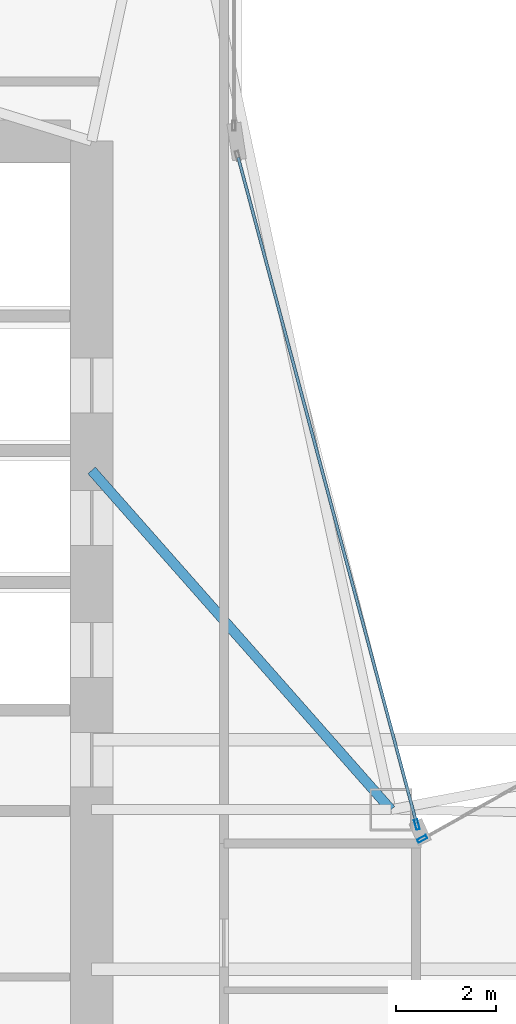
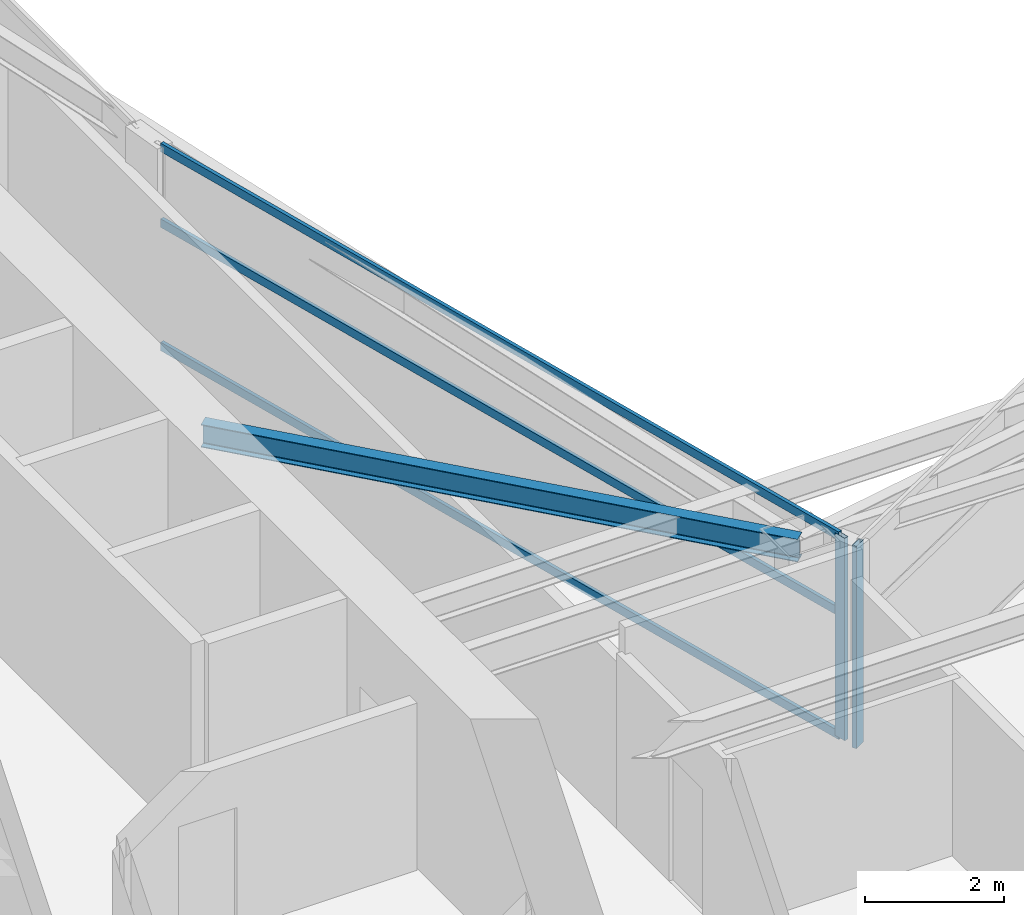
# One storey, part 10 of 28: 5 members, 1 beam, 2 elements without a shape of their own.
"""IFC4 building model written with IfcOpenShell, lengths in metres."""

from ifc_helpers import new_model, si_unit, direction, frame, origin, origin_2d, place, context, subcontext, project, spatial, hollow_rectangle, i_section, extrude, material, layer, layer_set, material_profile, profile_set, type_object, element, aggregate, save


model = new_model("IFC4")

# Units and contexts
model_context = context("Model", 3, precision=1e-05, world=origin(), true_north=direction((0.0, 1.0)))
body_context = subcontext(model_context, "Body", "Model", "MODEL_VIEW")
ifc_project = project(units=[si_unit("LENGTHUNIT", "METRE"), si_unit("AREAUNIT", "SQUARE_METRE"), si_unit("VOLUMEUNIT", "CUBIC_METRE"), si_unit("PLANEANGLEUNIT", "RADIAN"), si_unit("MASSUNIT", "GRAM", prefix="KILO")], contexts=[model_context])

# Site, building, storey
site_placement = place(None, origin())
site = spatial("IfcSite", under=ifc_project, at=site_placement, CompositionType="ELEMENT")
building_placement = place(site_placement, origin())
building = spatial("IfcBuilding", under=site, at=building_placement, Name="Calvorn Quay Hotel", CompositionType="ELEMENT")
storey_placement = place(building_placement, frame((0.0, 0.0, 178.89990234375)))
storey = spatial("IfcBuildingStorey", under=building, at=storey_placement, Name="L44", CompositionType="ELEMENT", Elevation=178.89990234375)

# Beam
ifc_material_1 = material(Name="Steel Q355B", Category="steel")
ifc_material_profile_1 = material_profile(ifc_material_1, i_section(OverallWidth=0.199951171875, OverallDepth=0.39990234375, WebThickness=0.008056640625, FlangeThickness=0.012939453125, FilletRadius=0.01611328125, at=origin_2d()), Name="HN400x200x8x13")
ifc_profile_set_1 = profile_set([ifc_material_profile_1], Name="Steel Q355B")
beam_type = type_object("IfcBeamType", Name="BM-JOIST-TYP", PredefinedType="JOIST", material=ifc_profile_set_1)
beam_placement = place(storey_placement, frame((15.0, 31.800048828125, 3.340087890625), z_axis=(0.661618965899, -0.749840212287, 0.0), x_axis=(0.749840212287, 0.661618965899, 0.0)))
element("IfcBeam", 1, at=beam_placement, inside=storey, type_object=beam_type, Name="Beam BJ-L44-C1", PredefinedType="JOIST", context=body_context, shape_type="SweptSolid", body=[
    extrude(i_section(OverallWidth=0.199951171875, OverallDepth=0.39990234375, WebThickness=0.008056640625, FlangeThickness=0.012939453125, FilletRadius=0.01611328125, at=origin_2d()), origin(), (0.0, 0.0, 1.0), 9.068603515625),
])

# Curtain wall, member
ifc_material_2 = material(Name="Pale Anodised Aluminium and Low-E Glass", Category="aluminium")
ifc_layer = layer(ifc_material_2, 0.219970703125)
ifc_layer_set = layer_set([ifc_layer], Name="CW-SYS-Z2")
curtain_wall_type = type_object("IfcCurtainWallType", Name="CW-SYS-Z2", PredefinedType="NOTDEFINED", material=ifc_layer_set)
curtain_wall_1_placement = place(storey_placement, origin())
curtain_wall_1 = element("IfcCurtainWall", 2, at=curtain_wall_1_placement, inside=storey, type_object=curtain_wall_type, Name="Inner Court Curtain Wall L44-NE1", PredefinedType="NOTDEFINED")
ifc_material_3 = material(Name="Pale Anodised Aluminium 6063-T6", Category="aluminium")
ifc_material_profile_2 = material_profile(ifc_material_3, hollow_rectangle(XDim=0.070068359375, YDim=0.199951171875, WallThickness=0.00390625, at=origin_2d()), Name="ALU-M200x70x4")
ifc_profile_set_2 = profile_set([ifc_material_profile_2], Name="Pale Anodised Aluminium 6063-T6")
member_type_1 = type_object("IfcMemberType", Name="CW-SYS-Z2-MUL", PredefinedType="MULLION", material=ifc_profile_set_2)
member_1_placement = place(storey_placement, frame((21.626220703125, 24.41455078125, 0.0), z_axis=(0.0, 0.0, 1.0), x_axis=(0.486858256224, -0.873480989116, 0.0)))
member_1 = element("IfcMember", 3, at=member_1_placement, type_object=member_type_1, Name="CW-L44-NE1 mullion 4", PredefinedType="MULLION", context=body_context, shape_type="SweptSolid", body=[
    extrude(hollow_rectangle(XDim=0.070068359375, YDim=0.199951171875, WallThickness=0.00390625, at=origin_2d()), origin(), (0.0, 0.0, 1.0), 3.56005859375),
])
aggregate(curtain_wall_1, [member_1])

# Curtain wall, members
curtain_wall_2_placement = place(storey_placement, origin())
curtain_wall_2 = element("IfcCurtainWall", 4, at=curtain_wall_2_placement, inside=storey, type_object=curtain_wall_type, Name="Inner Court Curtain Wall L44-IC1", PredefinedType="NOTDEFINED")
member_2_placement = place(storey_placement, frame((21.520263671875, 24.698974609375, 0.0), z_axis=(0.0, 0.0, 1.0), x_axis=(-0.96593652056, -0.25877913024, 0.0)))
member_2 = element("IfcMember", 5, at=member_2_placement, type_object=member_type_1, Name="CW-L44-IC1 mullion 1", PredefinedType="MULLION", context=body_context, shape_type="SweptSolid", body=[
    extrude(hollow_rectangle(XDim=0.070068359375, YDim=0.199951171875, WallThickness=0.00390625, at=origin_2d()), origin(), (0.0, 0.0, 1.0), 3.56005859375),
])
ifc_material_4 = material(Name="Pale Anodised Aluminium 6063-T6", Category="aluminium")
ifc_material_profile_3 = material_profile(ifc_material_4, hollow_rectangle(XDim=0.06005859375, YDim=0.14990234375, WallThickness=0.00341796875, at=origin_2d()), Name="ALU-T150x60x3.5")
ifc_profile_set_3 = profile_set([ifc_material_profile_3], Name="Pale Anodised Aluminium 6063-T6")
member_type_2 = type_object("IfcMemberType", Name="CW-SYS-Z2-TRN", PredefinedType="USERDEFINED", material=ifc_profile_set_3)
member_3_placement = place(storey_placement, frame((21.512451171875, 24.72802734375, 0.030029296875), z_axis=(-0.258781136883, 0.965935982969, 0.0), x_axis=(-0.965935982969, -0.258781136883, 0.0)))
member_3 = element("IfcMember", 6, at=member_3_placement, type_object=member_type_2, Name="CW-L44-IC1 transom 1.1", ObjectType="TRANSOM", PredefinedType="USERDEFINED", context=body_context, shape_type="SweptSolid", body=[
    extrude(hollow_rectangle(XDim=0.06005859375, YDim=0.14990234375, WallThickness=0.00341796875, at=origin_2d()), origin(), (0.0, 0.0, 1.0), 13.814453125),
])
member_4_placement = place(storey_placement, frame((21.512451171875, 24.72802734375, 2.2001953125), z_axis=(-0.258781136883, 0.965935982969, 0.0), x_axis=(-0.965935982969, -0.258781136883, 0.0)))
member_4 = element("IfcMember", 7, at=member_4_placement, type_object=member_type_2, Name="CW-L44-IC1 transom 1.2", ObjectType="TRANSOM", PredefinedType="USERDEFINED", context=body_context, shape_type="SweptSolid", body=[
    extrude(hollow_rectangle(XDim=0.06005859375, YDim=0.14990234375, WallThickness=0.00341796875, at=origin_2d()), origin(), (0.0, 0.0, 1.0), 13.814453125),
])
member_5_placement = place(storey_placement, frame((21.512451171875, 24.72802734375, 3.530029296875), z_axis=(-0.258781136883, 0.965935982969, 0.0), x_axis=(-0.965935982969, -0.258781136883, 0.0)))
member_5 = element("IfcMember", 8, at=member_5_placement, type_object=member_type_2, Name="CW-L44-IC1 transom 1.3", ObjectType="TRANSOM", PredefinedType="USERDEFINED", context=body_context, shape_type="SweptSolid", body=[
    extrude(hollow_rectangle(XDim=0.06005859375, YDim=0.14990234375, WallThickness=0.00341796875, at=origin_2d()), origin(), (0.0, 0.0, 1.0), 13.814453125),
])
aggregate(curtain_wall_2, [member_2, member_3, member_4, member_5])

save(model, "model.ifc")
